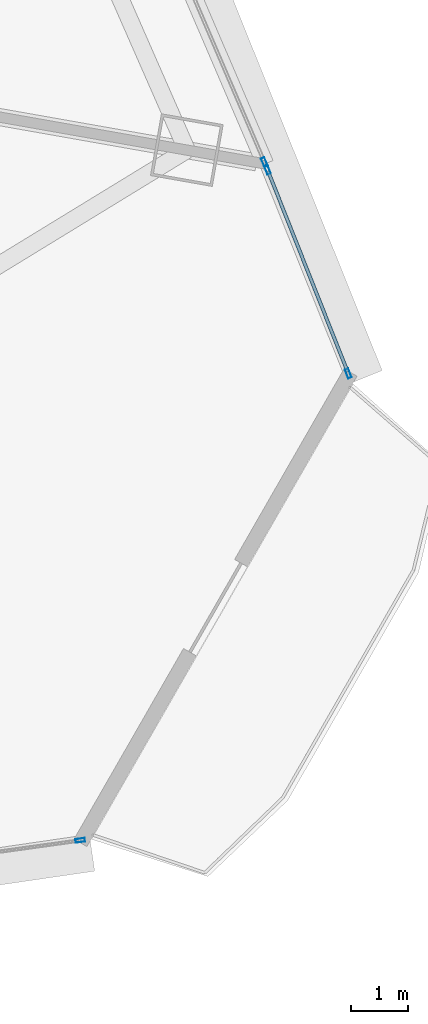
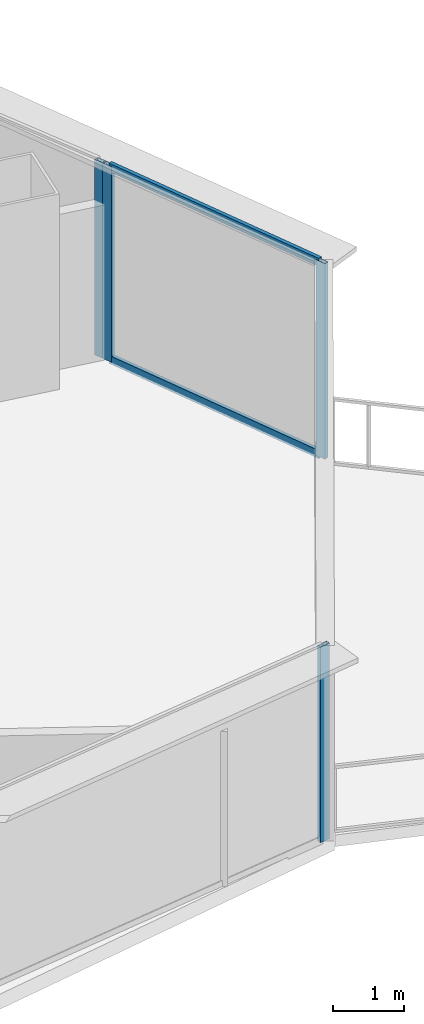
# One storey, part 22 of 37: 6 members, 3 elements without a shape of their own.
"""IFC4 building model written with IfcOpenShell, lengths in metres."""

from ifc_helpers import new_model, si_unit, direction, frame, origin, origin_2d, place, context, subcontext, project, spatial, hollow_rectangle, extrude, source, transform, mapped, material, layer, layer_set, material_profile, profile_set, type_object, element, aggregate, save


model = new_model("IFC4")

# Units and contexts
model_context = context("Model", 3, precision=1e-05, world=origin(), true_north=direction((0.0, 1.0)))
body_context = subcontext(model_context, "Body", "Model", "MODEL_VIEW")
ifc_project = project(units=[si_unit("LENGTHUNIT", "METRE"), si_unit("AREAUNIT", "SQUARE_METRE"), si_unit("VOLUMEUNIT", "CUBIC_METRE"), si_unit("PLANEANGLEUNIT", "RADIAN"), si_unit("MASSUNIT", "GRAM", prefix="KILO"), si_unit("THERMODYNAMICTEMPERATUREUNIT", "KELVIN"), si_unit("POWERUNIT", "WATT")], contexts=[model_context])

# Site, building, storey
site_placement = place(None, origin())
site = spatial("IfcSite", under=ifc_project, at=site_placement, CompositionType="ELEMENT")
building_placement = place(site_placement, origin())
building = spatial("IfcBuilding", under=site, at=building_placement, Name="Yunzhuo Pagoda Commons", CompositionType="ELEMENT")
storey_placement = place(building_placement, frame((0.0, 0.0, 52.179931640625)))
storey = spatial("IfcBuildingStorey", under=building, at=storey_placement, Name="L13", CompositionType="ELEMENT", Elevation=52.179931640625)

# Curtain wall, member
ifc_material = material(Name="Anodized aluminium 6063-T6", Category="aluminium")
ifc_layer = layer(ifc_material, 0.1650390625)
ifc_layer_set = layer_set([ifc_layer], Name="Anodized aluminium 6063-T6")
curtain_wall_type = type_object("IfcCurtainWallType", Name="CW-LOW Low-Zone Ribbon Curtain Wall", PredefinedType="NOTDEFINED", material=ifc_layer_set)
curtain_wall_1_placement = place(storey_placement, origin())
curtain_wall_1 = element("IfcCurtainWall", 1, at=curtain_wall_1_placement, inside=storey, type_object=curtain_wall_type, Name="L13 curtain wall CW-L13-F1B5", PredefinedType="NOTDEFINED")
ifc_material_profile_1 = material_profile(ifc_material, hollow_rectangle(XDim=0.06494140625, YDim=0.1650390625, WallThickness=0.00390625, at=origin_2d()), Name="Anodized aluminium 6063-T6")
ifc_profile_set_1 = profile_set([ifc_material_profile_1], Name="Anodized aluminium 6063-T6")
member_type_1 = type_object("IfcMemberType", Name="CW-LOW-M Mullion RHS 165x65x4", PredefinedType="MULLION", material=ifc_profile_set_1)
shared_shape_1 = source(origin(), body_context, "Body", "SweptSolid", [
    extrude(hollow_rectangle(XDim=0.06494140625, YDim=0.1650390625, WallThickness=0.00390625, at=origin_2d()), origin(), (0.0, 0.0, 1.0), 3.3701171875),
])
member_1_placement = place(storey_placement, frame((86.178955078125, 14.542236328125, 0.0), z_axis=(0.0, 0.0, 1.0), x_axis=(-0.13790498569, 0.990445462871, 0.0)))
member_1 = element("IfcMember", 2, at=member_1_placement, type_object=member_type_1, Name="CW mullion 2", PredefinedType="MULLION", context=body_context, shape_type="MappedRepresentation", body=[
    mapped(shared_shape_1, transform((0.0, 0.0, 0.0), scale=1.0)),
])
aggregate(curtain_wall_1, [member_1])

curtain_wall_2_placement = place(storey_placement, origin())
curtain_wall_2 = element("IfcCurtainWall", 3, at=curtain_wall_2_placement, inside=storey, type_object=curtain_wall_type, Name="L13 curtain wall CW-L13-F2B2", PredefinedType="NOTDEFINED")
member_2_placement = place(storey_placement, frame((89.40771484375, 26.426513671875, 0.0), z_axis=(0.0, 0.0, 1.0), x_axis=(-0.918993139703, -0.394273520769, 0.0)))
member_2 = element("IfcMember", 4, at=member_2_placement, type_object=member_type_1, Name="CW mullion 1", PredefinedType="MULLION", context=body_context, shape_type="MappedRepresentation", body=[
    mapped(shared_shape_1, transform((0.0, 0.0, 0.0), scale=1.0)),
])
aggregate(curtain_wall_2, [member_2])

# Curtain wall, members
curtain_wall_3_placement = place(storey_placement, origin())
curtain_wall_3 = element("IfcCurtainWall", 5, at=curtain_wall_3_placement, inside=storey, type_object=curtain_wall_type, Name="L13 curtain wall CW-L13-F2B1", PredefinedType="NOTDEFINED")
member_3_placement = place(storey_placement, frame((90.876953125, 22.7236328125, 0.0), z_axis=(0.0, 0.0, 1.0), x_axis=(-0.929582438104, -0.368614284542, 0.0)))
member_3 = element("IfcMember", 6, at=member_3_placement, type_object=member_type_1, Name="CW mullion 1", PredefinedType="MULLION", context=body_context, shape_type="MappedRepresentation", body=[
    mapped(shared_shape_1, transform((0.0, 0.0, 0.0), scale=1.0)),
])
member_4_placement = place(storey_placement, frame((89.460205078125, 26.29638671875, 0.0), z_axis=(0.0, 0.0, 1.0), x_axis=(-0.929582438104, -0.368614284542, 0.0)))
member_4 = element("IfcMember", 7, at=member_4_placement, type_object=member_type_1, Name="CW mullion 2", PredefinedType="MULLION", context=body_context, shape_type="MappedRepresentation", body=[
    mapped(shared_shape_1, transform((0.0, 0.0, 0.0), scale=1.0)),
])
ifc_material_profile_2 = material_profile(ifc_material, hollow_rectangle(XDim=0.06005859375, YDim=0.139892578125, WallThickness=0.00341796875, at=origin_2d()), Name="Anodized aluminium 6063-T6")
ifc_profile_set_2 = profile_set([ifc_material_profile_2], Name="Anodized aluminium 6063-T6")
member_type_2 = type_object("IfcMemberType", Name="CW-LOW-T Transom RHS 140x60x3.5", PredefinedType="USERDEFINED", material=ifc_profile_set_2)
shared_shape_2 = source(origin(), body_context, "Body", "SweptSolid", [
    extrude(hollow_rectangle(XDim=0.06005859375, YDim=0.139892578125, WallThickness=0.00341796875, at=origin_2d()), origin(), (0.0, 0.0, 1.0), 3.778564453125),
])
member_5_placement = place(storey_placement, frame((90.864990234375, 22.75390625, 0.030029296875), z_axis=(-0.368615131288, 0.929582102337, 0.0), x_axis=(-0.929582102337, -0.368615131288, 0.0)))
member_5 = element("IfcMember", 8, at=member_5_placement, type_object=member_type_2, Name="CW transom 1.1", ObjectType="TRANSOM", PredefinedType="USERDEFINED", context=body_context, shape_type="MappedRepresentation", body=[
    mapped(shared_shape_2, transform((0.0, 0.0, 0.0), scale=1.0)),
])
member_6_placement = place(storey_placement, frame((90.864990234375, 22.75390625, 3.34033203125), z_axis=(-0.368615131288, 0.929582102337, 0.0), x_axis=(-0.929582102337, -0.368615131288, 0.0)))
member_6 = element("IfcMember", 9, at=member_6_placement, type_object=member_type_2, Name="CW transom 1.2", ObjectType="TRANSOM", PredefinedType="USERDEFINED", context=body_context, shape_type="MappedRepresentation", body=[
    mapped(shared_shape_2, transform((0.0, 0.0, 0.0), scale=1.0)),
])
aggregate(curtain_wall_3, [member_3, member_4, member_5, member_6])

save(model, "model.ifc")
